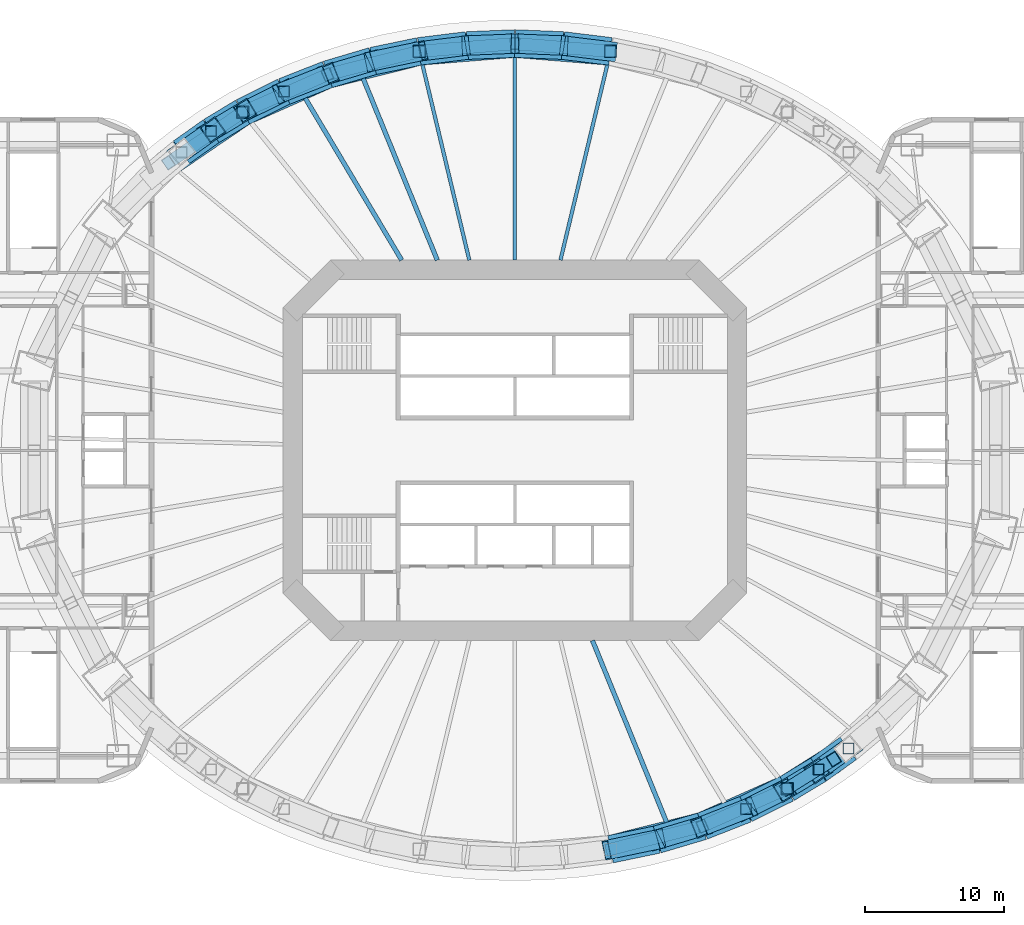
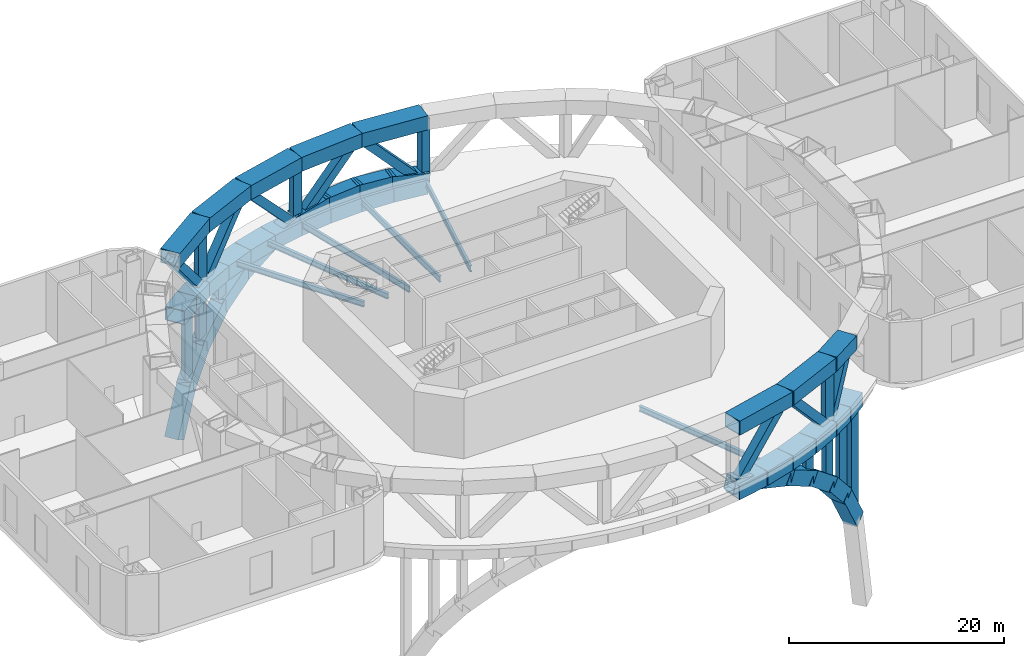
# One storey, part 3 of 13: 35 members, 30 beams.
"""IFC4 building model written with IfcOpenShell, lengths in metres."""

import ifcopenshell
import ifcopenshell.guid

model = None  # the IFC model being written
_history = None  # IfcOwnerHistory: only IFC2X3 demands one
_inside = {}  # id of a spatial element -> (the spatial element, [elements in it])
_under = {}  # id of a project, library or spatial element -> (it, [spatial elements below it])
_declared = {}  # id of a project -> (the project, [libraries it declares])
_typed = {}  # id of a type object -> (the type object, [elements of that type])
_made_of = {}  # id of a material, layer set ... -> (it, [elements and type objects made of it])


def new_model(schema):
    """Start an empty IFC model of exactly this schema.

    Asked for "IFC4X3", IfcOpenShell would pick the latest addendum, in which some entities
    have other attributes; the version numbers below select the first issue.
    IFC2X3 requires an IfcOwnerHistory on every rooted entity: one is made here for all.
    """
    global model, _history
    if schema == "IFC4X3":
        model = ifcopenshell.file(schema_version=(4, 3, 0, 0))
    else:
        model = ifcopenshell.file(schema=schema)
    _inside.clear()
    _under.clear()
    _declared.clear()
    _typed.clear()
    _made_of.clear()
    _history = None
    if model.schema == "IFC2X3":
        org = make("IfcOrganization", Name="unknown")
        user = make(
            "IfcPersonAndOrganization",
            ThePerson=make("IfcPerson", FamilyName="unknown"),
            TheOrganization=org,
        )
        app = make(
            "IfcApplication",
            ApplicationDeveloper=org,
            Version="unknown",
            ApplicationFullName="unknown",
            ApplicationIdentifier="unknown",
        )
        _history = make(
            "IfcOwnerHistory",
            OwningUser=user,
            OwningApplication=app,
            ChangeAction="ADDED",
            CreationDate=0,
        )
    return model


def make(cls, **values):
    """One entity of the class cls with the attributes given. An attribute that is None is left unset."""
    return model.create_entity(
        cls, **{name: value for name, value in values.items() if value is not None}
    )


def rooted(cls, **values):
    """An entity with a GlobalId (a new one), such as an element, a storey or a relation."""
    return make(cls, GlobalId=ifcopenshell.guid.new(), OwnerHistory=_history, **values)


def si_unit(unit_type, name, prefix=None):
    """IfcSIUnit, for example si_unit("LENGTHUNIT", "METRE", prefix="MILLI")."""
    return make("IfcSIUnit", UnitType=unit_type, Prefix=prefix, Name=name)


def assignment(units):
    """IfcUnitAssignment: the units of a project."""
    return None if units is None else make("IfcUnitAssignment", Units=units)


def point(xyz):
    """IfcCartesianPoint."""
    return None if xyz is None else make("IfcCartesianPoint", Coordinates=xyz)


def direction(xyz):
    """IfcDirection."""
    return None if xyz is None else make("IfcDirection", DirectionRatios=xyz)


def frame(location, z_axis=None, x_axis=None):
    """IfcAxis2Placement3D, a coordinate frame: its origin and axes. An axis left out is left unset."""
    return make(
        "IfcAxis2Placement3D",
        Location=point(location),
        Axis=direction(z_axis),
        RefDirection=direction(x_axis),
    )


def frame_2d(location, x_axis=None):
    """IfcAxis2Placement2D, a coordinate frame in the plane: its origin and x axis."""
    return make(
        "IfcAxis2Placement2D", Location=point(location), RefDirection=direction(x_axis)
    )


def origin():
    """The frame at (0, 0, 0) with its axes left unset."""
    return frame((0.0, 0.0, 0.0))


def origin_2d():
    """The frame at (0, 0) in the plane with its x axis left unset."""
    return frame_2d((0.0, 0.0))


def place(relative_to, where):
    """IfcLocalPlacement: puts the frame where relative to a parent placement (None: the world)."""
    return make(
        "IfcLocalPlacement", PlacementRelTo=relative_to, RelativePlacement=where
    )


def context(
    kind, dimensions, precision=None, world=None, true_north=None, identifier=None
):
    """IfcGeometricRepresentationContext, for example the 3D "Model" context."""
    return make(
        "IfcGeometricRepresentationContext",
        ContextIdentifier=identifier,
        ContextType=kind,
        CoordinateSpaceDimension=dimensions,
        Precision=precision,
        WorldCoordinateSystem=world,
        TrueNorth=true_north,
    )


def subcontext(parent, identifier, kind, view, scale=None):
    """IfcGeometricRepresentationSubContext, for example "Body" below "Model"."""
    return make(
        "IfcGeometricRepresentationSubContext",
        ContextIdentifier=identifier,
        ContextType=kind,
        ParentContext=parent,
        TargetScale=scale,
        TargetView=view,
    )


def project(units=None, contexts=None):
    """IfcProject with its units and contexts."""
    return rooted(
        "IfcProject",
        Name="project",
        RepresentationContexts=contexts,
        UnitsInContext=assignment(units),
    )


def spatial(cls, under=None, at=None, **own):
    """A site, building, storey or space (cls), placed at a placement, below another one or the project."""
    s = rooted(cls, ObjectPlacement=at, **own)
    if under is not None:
        _under.setdefault(under.id(), (under, []))[1].append(s)
    return s


def profile(cls, at=None, kind="AREA", **sizes):
    """A parametric profile (cls). Its sizes go by their IFC names, for example OverallWidth=200.0."""
    return make(cls, ProfileType=kind, Position=at, **sizes)


def hollow_rectangle(**sizes):
    """IfcRectangleHollowProfileDef."""
    return profile("IfcRectangleHollowProfileDef", **sizes)


def i_section(**sizes):
    """IfcIShapeProfileDef."""
    return profile("IfcIShapeProfileDef", **sizes)


def extrude(swept, where, along, depth):
    """IfcExtrudedAreaSolid: the profile swept, set in the frame where, extruded along a direction by depth."""
    return make(
        "IfcExtrudedAreaSolid",
        SweptArea=swept,
        Position=where,
        ExtrudedDirection=direction(along),
        Depth=depth,
    )


def shape(context_of_items, identifier, shape_type, items):
    """IfcShapeRepresentation: the items that make up one representation, for example the "Body"."""
    return make(
        "IfcShapeRepresentation",
        ContextOfItems=context_of_items,
        RepresentationIdentifier=identifier,
        RepresentationType=shape_type,
        Items=items,
    )


def material(Name=None, Category=None):
    """IfcMaterial."""
    return make("IfcMaterial", Name=Name, Category=Category)


def material_profile(
    of_material, cross_section, Name=None, Category=None, Priority=None
):
    """IfcMaterialProfile: a cross section and its material."""
    return make(
        "IfcMaterialProfile",
        Name=Name,
        Material=of_material,
        Profile=cross_section,
        Priority=Priority,
        Category=Category,
    )


def profile_set(profiles, Name=None, composite=None):
    """IfcMaterialProfileSet."""
    return make(
        "IfcMaterialProfileSet",
        Name=Name,
        MaterialProfiles=profiles,
        CompositeProfile=composite,
    )


def made_of(thing, what):
    """Note that an element or type object is made of a material, layer set ...; save() writes the relation."""
    if what is not None:
        _made_of.setdefault(what.id(), (what, []))[1].append(thing)
    return thing


def type_object(cls, material=None, **own):
    """A type object (cls), such as IfcWallType, which elements share."""
    return made_of(rooted(cls, **own), material)


def element(
    cls,
    number,
    at=None,
    inside=None,
    cuts=None,
    type_object=None,
    material=None,
    context=None,
    identifier="Body",
    shape_type=None,
    held_by="IfcProductDefinitionShape",
    body=None,
    shapes=None,
    **own,
):
    """One element of the class cls, such as IfcWall. Its Tag is "e" and its number.

    at: its placement. inside: the storey or other place that contains it. cuts: it is an
    opening in that element (IfcRelVoidsElement). A single representation is given by context,
    identifier, shape_type and body (its items); several are given by shapes. held_by: the class
    of the entity that holds the representations. save() writes the other relations.
    """
    e = rooted(cls, Tag="e%d" % number, ObjectPlacement=at, **own)
    if body is not None:
        shapes = [shape(context, identifier, shape_type, body)]
    if shapes is not None:
        e.Representation = make(held_by, Representations=shapes)
    if inside is not None:
        _inside.setdefault(inside.id(), (inside, []))[1].append(e)
    if cuts is not None:
        rooted(
            "IfcRelVoidsElement", RelatingBuildingElement=cuts, RelatedOpeningElement=e
        )
    if type_object is not None:
        _typed.setdefault(type_object.id(), (type_object, []))[1].append(e)
    return made_of(e, material)


def aggregate(whole, parts):
    """IfcRelAggregates: a whole, such as a stair, and the parts it consists of."""
    return rooted("IfcRelAggregates", RelatingObject=whole, RelatedObjects=parts)


def save(model, path):
    """Write the relations noted so far, then the file.

    IfcRelAggregates (storeys below a building ...), IfcRelContainedInSpatialStructure (elements
    in a storey), IfcRelDefinesByType, IfcRelAssociatesMaterial and IfcRelDeclares: one each for
    every whole, place, type object, material and project.
    """
    for whole, parts in _under.values():
        aggregate(whole, parts)
    for where, things in _inside.values():
        rooted(
            "IfcRelContainedInSpatialStructure",
            RelatedElements=things,
            RelatingStructure=where,
        )
    for kind, things in _typed.values():
        rooted("IfcRelDefinesByType", RelatedObjects=things, RelatingType=kind)
    for what, things in _made_of.values():
        rooted("IfcRelAssociatesMaterial", RelatedObjects=things, RelatingMaterial=what)
    for by, libraries in _declared.values():
        rooted("IfcRelDeclares", RelatingContext=by, RelatedDefinitions=libraries)
    model.write(path)


model = new_model("IFC4")

# Units and contexts
model_context = context("Model", 3, precision=1e-05, world=origin(), true_north=direction((0.0, 1.0)))
body_context = subcontext(model_context, "Body", "Model", "MODEL_VIEW")
ifc_project = project(units=[si_unit("LENGTHUNIT", "METRE"), si_unit("AREAUNIT", "SQUARE_METRE"), si_unit("VOLUMEUNIT", "CUBIC_METRE"), si_unit("PLANEANGLEUNIT", "RADIAN"), si_unit("MASSUNIT", "GRAM", prefix="KILO")], contexts=[model_context])

# Site, building, storey
site_placement = place(None, origin())
site = spatial("IfcSite", under=ifc_project, at=site_placement, CompositionType="ELEMENT")
building_placement = place(site_placement, origin())
building = spatial("IfcBuilding", under=site, at=building_placement, Name="Marenthal Gate Tower", CompositionType="ELEMENT")
storey_placement = place(building_placement, frame((0.0, 0.0, 26.0)))
storey = spatial("IfcBuildingStorey", under=building, at=storey_placement, Name="L03", CompositionType="ELEMENT", Elevation=26.0)

# Beams
ifc_material_1 = material(Name="Steel S460", Category="steel")
ifc_material_profile_1 = material_profile(ifc_material_1, hollow_rectangle(XDim=2.0, YDim=1.60009765625, WallThickness=0.080078125, at=origin_2d()), Name="BOX 1600X2000X80")
ifc_profile_set_1 = profile_set([ifc_material_profile_1], Name="Steel S460")
beam_type_1 = type_object("IfcBeamType", Name="BOX 1600X2000X80 transfer chord", PredefinedType="BEAM", material=ifc_profile_set_1)
beam_1_placement = place(storey_placement, frame((6.88671875, 28.737060546875, -1.300048828125), z_axis=(-0.992506789723, 0.122189493634, 0.0), x_axis=(-0.122189493634, -0.992506789723, 0.0)))
element("IfcBeam", 1, at=beam_1_placement, inside=storey, type_object=beam_type_1, Name="TR-L03-09", PredefinedType="BEAM", context=body_context, shape_type="SweptSolid", body=[
    extrude(hollow_rectangle(XDim=2.0, YDim=1.60009765625, WallThickness=0.080078125, at=origin_2d()), origin(), (0.0, 0.0, 1.0), 3.45263671875),
])
for number, where, z_axis, x_axis, name in (
    (2, (3.4599609375, 29.158935546875, -1.300048828125), (-0.99916934247, 0.040750767707, 0.0), (-0.040750767707, -0.99916934247, 0.0), "TR-L03-10"),
    (3, (0.0, 29.300048828125, -1.300048828125), (-0.99916934247, -0.040750767707, 0.0), (0.040750767707, -0.99916934247, 0.0), "TR-L03-11"),
):
    element("IfcBeam", number, at=place(storey_placement, frame(where, z_axis=z_axis, x_axis=x_axis)), inside=storey, type_object=beam_type_1, Name=name, PredefinedType="BEAM", context=body_context, shape_type="SweptSolid", body=[
        extrude(hollow_rectangle(XDim=2.0, YDim=1.60009765625, WallThickness=0.080078125, at=origin_2d()), origin(), (0.0, 0.0, 1.0), 3.462890625),
    ])
beam_2_placement = place(storey_placement, frame((-3.4599609375, 29.158935546875, -1.300048828125), z_axis=(-0.992506789723, -0.122189493634, 0.0), x_axis=(0.122189493634, -0.992506789723, 0.0)))
element("IfcBeam", 4, at=beam_2_placement, inside=storey, type_object=beam_type_1, Name="TR-L03-12", PredefinedType="BEAM", context=body_context, shape_type="SweptSolid", body=[
    extrude(hollow_rectangle(XDim=2.0, YDim=1.60009765625, WallThickness=0.080078125, at=origin_2d()), origin(), (0.0, 0.0, 1.0), 3.45263671875),
])
beam_3_placement = place(storey_placement, frame((-6.88671875, 28.737060546875, -1.300048828125), z_axis=(-0.979058462752, -0.203579288026, 0.0), x_axis=(0.203579288026, -0.979058462752, 0.0)))
element("IfcBeam", 5, at=beam_3_placement, inside=storey, type_object=beam_type_1, Name="TR-L03-13", PredefinedType="BEAM", context=body_context, shape_type="SweptSolid", body=[
    extrude(hollow_rectangle(XDim=2.0, YDim=1.60009765625, WallThickness=0.080078125, at=origin_2d()), origin(), (0.0, 0.0, 1.0), 3.43212890625),
])
beam_4_placement = place(storey_placement, frame((-10.2470703125, 28.038330078125, -1.300048828125), z_axis=(-0.958612601044, -0.284713682705, 0.0), x_axis=(0.284713682705, -0.958612601044, 0.0)))
element("IfcBeam", 6, at=beam_4_placement, inside=storey, type_object=beam_type_1, Name="TR-L03-14", PredefinedType="BEAM", context=body_context, shape_type="SweptSolid", body=[
    extrude(hollow_rectangle(XDim=2.0, YDim=1.60009765625, WallThickness=0.080078125, at=origin_2d()), origin(), (0.0, 0.0, 1.0), 3.402587890625),
])
beam_5_placement = place(storey_placement, frame((-13.5087890625, 27.069580078125, -1.300048828125), z_axis=(-0.930854658045, -0.365389662685, 0.0), x_axis=(0.365389662685, -0.930854658045, 0.0)))
element("IfcBeam", 7, at=beam_5_placement, inside=storey, type_object=beam_type_1, Name="TR-L03-15", PredefinedType="BEAM", context=body_context, shape_type="SweptSolid", body=[
    extrude(hollow_rectangle(XDim=2.0, YDim=1.60009765625, WallThickness=0.080078125, at=origin_2d()), origin(), (0.0, 0.0, 1.0), 3.3642578125),
])
beam_6_placement = place(storey_placement, frame((-16.640380859375, 25.84033203125, -1.300048828125), z_axis=(-0.895308250233, -0.445447120391, 0.0), x_axis=(0.445447120391, -0.895308250233, 0.0)))
element("IfcBeam", 8, at=beam_6_placement, inside=storey, type_object=beam_type_1, Name="TR-L03-16", PredefinedType="BEAM", context=body_context, shape_type="SweptSolid", body=[
    extrude(hollow_rectangle(XDim=2.0, YDim=1.60009765625, WallThickness=0.080078125, at=origin_2d()), origin(), (0.0, 0.0, 1.0), 3.318603515625),
])
beam_7_placement = place(storey_placement, frame((-19.611572265625, 24.362060546875, -1.300048828125), z_axis=(-0.856085941815, -0.516833493716, 0.0), x_axis=(0.516833493716, -0.856085941815, 0.0)))
element("IfcBeam", 9, at=beam_7_placement, inside=storey, type_object=beam_type_1, Name="TR-L03-17", PredefinedType="BEAM", context=body_context, shape_type="SweptSolid", body=[
    extrude(hollow_rectangle(XDim=2.0, YDim=1.60009765625, WallThickness=0.080078125, at=origin_2d()), origin(), (0.0, 0.0, 1.0), 2.65478515625),
])
beam_8_placement = place(storey_placement, frame((-21.88427734375, 22.989990234375, -1.300048828125), z_axis=(-0.81490346358, -0.579596708967, 0.0), x_axis=(0.579596708967, -0.81490346358, 0.0)))
element("IfcBeam", 10, at=beam_8_placement, inside=storey, type_object=beam_type_1, Name="TR-L03-18", PredefinedType="BEAM", context=body_context, shape_type="SweptSolid", body=[
    extrude(hollow_rectangle(XDim=2.0, YDim=1.60009765625, WallThickness=0.080078125, at=origin_2d()), origin(), (0.0, 0.0, 1.0), 2.61865234375),
])
for number, where, z_axis, x_axis, name in (
    (11, (6.88671875, 28.737060546875, 6.02001953125), (-0.996675136239, 0.081478051055, 0.0), (-0.081478051055, -0.996675136239, 0.0), "TR-L03-25"),
    (12, (0.0, 29.300048828125, 6.02001953125), (-0.996675136239, -0.081478051055, 0.0), (0.081478051055, -0.996675136239, 0.0), "TR-L03-26"),
):
    element("IfcBeam", number, at=place(storey_placement, frame(where, z_axis=z_axis, x_axis=x_axis)), inside=storey, type_object=beam_type_1, Name=name, PredefinedType="BEAM", context=body_context, shape_type="SweptSolid", body=[
        extrude(hollow_rectangle(XDim=2.0, YDim=1.60009765625, WallThickness=0.080078125, at=origin_2d()), origin(), (0.0, 0.0, 1.0), 6.90966796875),
    ])
beam_9_placement = place(storey_placement, frame((-6.88671875, 28.737060546875, 6.02001953125), z_axis=(-0.969728903085, -0.244184058696, 0.0), x_axis=(0.244184058696, -0.969728903085, 0.0)))
element("IfcBeam", 13, at=beam_9_placement, inside=storey, type_object=beam_type_1, Name="TR-L03-27", PredefinedType="BEAM", context=body_context, shape_type="SweptSolid", body=[
    extrude(hollow_rectangle(XDim=2.0, YDim=1.60009765625, WallThickness=0.080078125, at=origin_2d()), origin(), (0.0, 0.0, 1.0), 6.828857421875),
])
beam_10_placement = place(storey_placement, frame((-13.5087890625, 27.069580078125, 6.02001953125), z_axis=(-0.914079762621, -0.405534446832, 0.0), x_axis=(0.405534446832, -0.914079762621, 0.0)))
element("IfcBeam", 14, at=beam_10_placement, inside=storey, type_object=beam_type_1, Name="TR-L03-28", PredefinedType="BEAM", context=body_context, shape_type="SweptSolid", body=[
    extrude(hollow_rectangle(XDim=2.0, YDim=1.60009765625, WallThickness=0.080078125, at=origin_2d()), origin(), (0.0, 0.0, 1.0), 6.676513671875),
])
beam_11_placement = place(storey_placement, frame((-19.611572265625, 24.362060546875, 6.02001953125), z_axis=(-0.826478637243, -0.562968082737, 0.0), x_axis=(0.562968082737, -0.826478637243, 0.0)))
element("IfcBeam", 15, at=beam_11_placement, inside=storey, type_object=beam_type_1, Name="TR-L03-29", PredefinedType="BEAM", context=body_context, shape_type="SweptSolid", body=[
    extrude(hollow_rectangle(XDim=2.0, YDim=1.60009765625, WallThickness=0.080078125, at=origin_2d()), origin(), (0.0, 0.0, 1.0), 6.472412109375),
])
beam_12_placement = place(storey_placement, frame((24.018310546875, -21.47216796875, -1.300048828125), z_axis=(-0.81490346358, -0.579596708967, 0.0), x_axis=(0.579596708967, -0.81490346358, 0.0)))
element("IfcBeam", 16, at=beam_12_placement, inside=storey, type_object=beam_type_1, Name="TR-L03-73", PredefinedType="BEAM", context=body_context, shape_type="SweptSolid", body=[
    extrude(hollow_rectangle(XDim=2.0, YDim=1.60009765625, WallThickness=0.080078125, at=origin_2d()), origin(), (0.0, 0.0, 1.0), 2.61865234375),
])
beam_13_placement = place(storey_placement, frame((21.88427734375, -22.989990234375, -1.300048828125), z_axis=(-0.856085941815, -0.516833493716, 0.0), x_axis=(0.516833493716, -0.856085941815, 0.0)))
element("IfcBeam", 17, at=beam_13_placement, inside=storey, type_object=beam_type_1, Name="TR-L03-74", PredefinedType="BEAM", context=body_context, shape_type="SweptSolid", body=[
    extrude(hollow_rectangle(XDim=2.0, YDim=1.60009765625, WallThickness=0.080078125, at=origin_2d()), origin(), (0.0, 0.0, 1.0), 2.65478515625),
])
beam_14_placement = place(storey_placement, frame((19.611572265625, -24.362060546875, -1.300048828125), z_axis=(-0.895308250233, -0.445447120391, 0.0), x_axis=(0.445447120391, -0.895308250233, 0.0)))
element("IfcBeam", 18, at=beam_14_placement, inside=storey, type_object=beam_type_1, Name="TR-L03-75", PredefinedType="BEAM", context=body_context, shape_type="SweptSolid", body=[
    extrude(hollow_rectangle(XDim=2.0, YDim=1.60009765625, WallThickness=0.080078125, at=origin_2d()), origin(), (0.0, 0.0, 1.0), 3.318603515625),
])
beam_15_placement = place(storey_placement, frame((16.640380859375, -25.84033203125, -1.300048828125), z_axis=(-0.930854658045, -0.365389662685, 0.0), x_axis=(0.365389662685, -0.930854658045, 0.0)))
element("IfcBeam", 19, at=beam_15_placement, inside=storey, type_object=beam_type_1, Name="TR-L03-76", PredefinedType="BEAM", context=body_context, shape_type="SweptSolid", body=[
    extrude(hollow_rectangle(XDim=2.0, YDim=1.60009765625, WallThickness=0.080078125, at=origin_2d()), origin(), (0.0, 0.0, 1.0), 3.3642578125),
])
beam_16_placement = place(storey_placement, frame((13.5087890625, -27.069580078125, -1.300048828125), z_axis=(-0.958612601044, -0.284713682705, 0.0), x_axis=(0.284713682705, -0.958612601044, 0.0)))
element("IfcBeam", 20, at=beam_16_placement, inside=storey, type_object=beam_type_1, Name="TR-L03-77", PredefinedType="BEAM", context=body_context, shape_type="SweptSolid", body=[
    extrude(hollow_rectangle(XDim=2.0, YDim=1.60009765625, WallThickness=0.080078125, at=origin_2d()), origin(), (0.0, 0.0, 1.0), 3.402587890625),
])
beam_17_placement = place(storey_placement, frame((10.2470703125, -28.038330078125, -1.300048828125), z_axis=(-0.979058462752, -0.203579288026, 0.0), x_axis=(0.203579288026, -0.979058462752, 0.0)))
element("IfcBeam", 21, at=beam_17_placement, inside=storey, type_object=beam_type_1, Name="TR-L03-78", PredefinedType="BEAM", context=body_context, shape_type="SweptSolid", body=[
    extrude(hollow_rectangle(XDim=2.0, YDim=1.60009765625, WallThickness=0.080078125, at=origin_2d()), origin(), (0.0, 0.0, 1.0), 3.43212890625),
])
beam_18_placement = place(storey_placement, frame((22.969482421875, -22.248779296875, 6.02001953125), z_axis=(-0.846341746449, -0.532640261543, 0.0), x_axis=(0.532640261543, -0.846341746449, 0.0)))
element("IfcBeam", 22, at=beam_18_placement, inside=storey, type_object=beam_type_1, Name="TR-L03-92", PredefinedType="BEAM", context=body_context, shape_type="SweptSolid", body=[
    extrude(hollow_rectangle(XDim=2.0, YDim=1.60009765625, WallThickness=0.080078125, at=origin_2d()), origin(), (0.0, 0.0, 1.0), 3.967529296875),
])
beam_19_placement = place(storey_placement, frame((19.611572265625, -24.362060546875, 6.02001953125), z_axis=(-0.914079762621, -0.405534446832, 0.0), x_axis=(0.405534446832, -0.914079762621, 0.0)))
element("IfcBeam", 23, at=beam_19_placement, inside=storey, type_object=beam_type_1, Name="TR-L03-93", PredefinedType="BEAM", context=body_context, shape_type="SweptSolid", body=[
    extrude(hollow_rectangle(XDim=2.0, YDim=1.60009765625, WallThickness=0.080078125, at=origin_2d()), origin(), (0.0, 0.0, 1.0), 6.676513671875),
])
beam_20_placement = place(storey_placement, frame((13.5087890625, -27.069580078125, 6.02001953125), z_axis=(-0.969728903085, -0.244184058696, 0.0), x_axis=(0.244184058696, -0.969728903085, 0.0)))
element("IfcBeam", 24, at=beam_20_placement, inside=storey, type_object=beam_type_1, Name="TR-L03-94", PredefinedType="BEAM", context=body_context, shape_type="SweptSolid", body=[
    extrude(hollow_rectangle(XDim=2.0, YDim=1.60009765625, WallThickness=0.080078125, at=origin_2d()), origin(), (0.0, 0.0, 1.0), 6.828857421875),
])
ifc_material_2 = material(Name="Steel S355", Category="steel")
ifc_material_profile_2 = material_profile(ifc_material_2, i_section(OverallWidth=0.324951171875, OverallDepth=0.612060546875, WebThickness=0.0126953125, FlangeThickness=0.01904296875, FilletRadius=0.0126953125, at=origin_2d()), Name="W610X155")
ifc_profile_set_2 = profile_set([ifc_material_profile_2], Name="Steel S355")
beam_type_2 = type_object("IfcBeamType", Name="W610X155 beam", PredefinedType="BEAM", material=ifc_profile_set_2)
beam_21_placement = place(storey_placement, frame((-10.929931640625, 26.79248046875, -0.805908203125), z_axis=(0.377725731398, -0.925917529719, 0.0), x_axis=(0.925917529719, 0.377725731398, 0.0)))
element("IfcBeam", 25, at=beam_21_placement, inside=storey, type_object=beam_type_2, Name="BM-L03-23", PredefinedType="BEAM", context=body_context, shape_type="SweptSolid", body=[
    extrude(i_section(OverallWidth=0.324951171875, OverallDepth=0.612060546875, WebThickness=0.0126953125, FlangeThickness=0.01904296875, FilletRadius=0.0126953125, at=origin_2d()), origin(), (0.0, 0.0, 1.0), 14.14013671875),
])
beam_22_placement = place(storey_placement, frame((-15.101806640625, 25.3701171875, -0.805908203125), z_axis=(0.511497449149, -0.859284795347, 0.0), x_axis=(0.859284795347, 0.511497449149, 0.0)))
element("IfcBeam", 26, at=beam_22_placement, inside=storey, type_object=beam_type_2, Name="BM-L03-24", PredefinedType="BEAM", context=body_context, shape_type="SweptSolid", body=[
    extrude(i_section(OverallWidth=0.324951171875, OverallDepth=0.612060546875, WebThickness=0.0126953125, FlangeThickness=0.01904296875, FilletRadius=0.0126953125, at=origin_2d()), origin(), (0.0, 0.0, 1.0), 13.581298828125),
])
beam_23_placement = place(storey_placement, frame((10.929931640625, -26.79248046875, -0.805908203125), z_axis=(-0.377725731398, 0.925917529719, 0.0), x_axis=(-0.925917529719, -0.377725731398, 0.0)))
element("IfcBeam", 27, at=beam_23_placement, inside=storey, type_object=beam_type_2, Name="BM-L03-35", PredefinedType="BEAM", context=body_context, shape_type="SweptSolid", body=[
    extrude(i_section(OverallWidth=0.324951171875, OverallDepth=0.612060546875, WebThickness=0.0126953125, FlangeThickness=0.01904296875, FilletRadius=0.0126953125, at=origin_2d()), origin(), (0.0, 0.0, 1.0), 14.14013671875),
])
ifc_material_3 = material(Name="Steel S355", Category="steel")
ifc_material_profile_3 = material_profile(ifc_material_3, i_section(OverallWidth=0.257080078125, OverallDepth=0.693115234375, WebThickness=0.014404296875, FlangeThickness=0.023681640625, FilletRadius=0.015380859375, at=origin_2d()), Name="W690X170")
ifc_profile_set_3 = profile_set([ifc_material_profile_3], Name="Steel S355")
beam_type_3 = type_object("IfcBeamType", Name="W690X170 beam", PredefinedType="BEAM", material=ifc_profile_set_3)
for number, where, z_axis, x_axis, name in (
    (28, (6.652099609375, 27.75830078125, -0.846435546875), (-0.23303888137, -0.972467418359, 0.0), (0.972467418359, -0.23303888137, 0.0), "BM-L03-04"),
    (29, (-6.652099609375, 27.75830078125, -0.846435546875), (0.23303888137, -0.972467418359, 0.0), (0.972467418359, 0.23303888137, 0.0), "BM-L03-05"),
):
    element("IfcBeam", number, at=place(storey_placement, frame(where, z_axis=z_axis, x_axis=x_axis)), inside=storey, type_object=beam_type_3, Name=name, PredefinedType="BEAM", context=body_context, shape_type="SweptSolid", body=[
        extrude(i_section(OverallWidth=0.257080078125, OverallDepth=0.693115234375, WebThickness=0.014404296875, FlangeThickness=0.023681640625, FilletRadius=0.015380859375, at=origin_2d()), origin(), (0.0, 0.0, 1.0), 14.456298828125),
    ])
beam_24_placement = place(storey_placement, frame((0.0, 28.29931640625, -0.846435546875), z_axis=(0.0, -1.0, 0.0), x_axis=(1.0, 0.0, 0.0)))
element("IfcBeam", 30, at=beam_24_placement, inside=storey, type_object=beam_type_3, Name="BM-L03-22", PredefinedType="BEAM", context=body_context, shape_type="SweptSolid", body=[
    extrude(i_section(OverallWidth=0.257080078125, OverallDepth=0.693115234375, WebThickness=0.014404296875, FlangeThickness=0.023681640625, FilletRadius=0.015380859375, at=origin_2d()), origin(), (0.0, 0.0, 1.0), 14.599365234375),
])

# Members
ifc_material_4 = material(Name="Steel S355", Category="steel")
ifc_material_profile_4 = material_profile(ifc_material_4, hollow_rectangle(XDim=1.39990234375, YDim=1.60009765625, WallThickness=0.080078125, at=origin_2d()), Name="BOX 1600X1400X80")
ifc_profile_set_4 = profile_set([ifc_material_profile_4], Name="Steel S355")
member_type_1 = type_object("IfcMemberType", Name="arch rib BOX 1600X1400X80", PredefinedType="MEMBER", material=ifc_profile_set_4)
member_1_placement = place(storey_placement, frame((7.1806640625, 28.700927734375, -0.78955078125), z_axis=(-0.979784181158, 0.120596155599, 0.159623073542), x_axis=(-0.122162519043, -0.992510110246, 0.0)))
element("IfcMember", 31, at=member_1_placement, inside=storey, type_object=member_type_1, Name="AR-N-L03-38", PredefinedType="MEMBER", context=body_context, shape_type="SweptSolid", body=[
    extrude(hollow_rectangle(XDim=1.39990234375, YDim=1.60009765625, WallThickness=0.080078125, at=origin_2d()), origin(), (0.0, 0.0, 1.0), 4.097412109375),
])
for number, where, z_axis, x_axis, name in (
    (32, (3.75927734375, 29.146728515625, -0.19921875), (-0.997771516968, 0.040693520723, 0.052877568963), (-0.040750530603, -0.99916935214, 0.0), "AR-N-L03-39"),
    (33, (0.29931640625, 29.312255859375, 0.015869140625), (-0.997771516968, -0.040693520723, -0.052877568963), (0.040750530603, -0.99916935214, 0.0), "AR-N-L03-40"),
):
    element("IfcMember", number, at=place(storey_placement, frame(where, z_axis=z_axis, x_axis=x_axis)), inside=storey, type_object=member_type_1, Name=name, PredefinedType="MEMBER", context=body_context, shape_type="SweptSolid", body=[
        extrude(hollow_rectangle(XDim=1.39990234375, YDim=1.60009765625, WallThickness=0.080078125, at=origin_2d()), origin(), (0.0, 0.0, 1.0), 4.067626953125),
    ])
member_2_placement = place(storey_placement, frame((-3.166015625, 29.195068359375, -0.135498046875), z_axis=(-0.979784181158, -0.120596155599, -0.159623073542), x_axis=(0.122162519043, -0.992510110246, 0.0)))
element("IfcMember", 34, at=member_2_placement, inside=storey, type_object=member_type_1, Name="AR-N-L03-41", PredefinedType="MEMBER", context=body_context, shape_type="SweptSolid", body=[
    extrude(hollow_rectangle(XDim=1.39990234375, YDim=1.60009765625, WallThickness=0.080078125, at=origin_2d()), origin(), (0.0, 0.0, 1.0), 4.097412109375),
])
member_3_placement = place(storey_placement, frame((-6.603759765625, 28.7958984375, -0.660888671875), z_axis=(-0.942929594761, -0.196079632167, -0.269140404201), x_axis=(0.203591982603, -0.979055823036, 0.0)))
element("IfcMember", 35, at=member_3_placement, inside=storey, type_object=member_type_1, Name="AR-N-L03-42", PredefinedType="MEMBER", context=body_context, shape_type="SweptSolid", body=[
    extrude(hollow_rectangle(XDim=1.39990234375, YDim=1.60009765625, WallThickness=0.080078125, at=origin_2d()), origin(), (0.0, 0.0, 1.0), 4.16357421875),
])
member_4_placement = place(storey_placement, frame((-9.981201171875, 28.1171875, -1.5859375), z_axis=(-0.885621115862, -0.26300159803, -0.382760236404), x_axis=(0.284680682344, -0.958622401731, 0.0)))
element("IfcMember", 36, at=member_4_placement, inside=storey, type_object=member_type_1, Name="AR-N-L03-43", PredefinedType="MEMBER", context=body_context, shape_type="SweptSolid", body=[
    extrude(hollow_rectangle(XDim=1.39990234375, YDim=1.60009765625, WallThickness=0.080078125, at=origin_2d()), origin(), (0.0, 0.0, 1.0), 4.283203125),
])
member_5_placement = place(storey_placement, frame((-13.26708984375, 27.16455078125, -2.9599609375), z_axis=(-0.805122250972, -0.316099935492, -0.501855548711), x_axis=(0.365453963974, -0.930829415208, 0.0)))
element("IfcMember", 37, at=member_5_placement, inside=storey, type_object=member_type_1, Name="AR-N-L03-44", PredefinedType="MEMBER", context=body_context, shape_type="SweptSolid", body=[
    extrude(hollow_rectangle(XDim=1.39990234375, YDim=1.60009765625, WallThickness=0.080078125, at=origin_2d()), origin(), (0.0, 0.0, 1.0), 4.48974609375),
])
member_6_placement = place(storey_placement, frame((-16.430908203125, 25.944580078125, -4.87451171875), z_axis=(-0.697924026477, -0.347253139776, -0.626352384989), x_axis=(0.445459010991, -0.895302334146, 0.0)))
element("IfcMember", 38, at=member_6_placement, inside=storey, type_object=member_type_1, Name="AR-N-L03-45", PredefinedType="MEMBER", context=body_context, shape_type="SweptSolid", body=[
    extrude(hollow_rectangle(XDim=1.39990234375, YDim=1.60009765625, WallThickness=0.080078125, at=origin_2d()), origin(), (0.0, 0.0, 1.0), 4.857421875),
])
member_7_placement = place(storey_placement, frame((-19.439453125, 24.466064453125, -7.50634765625), z_axis=(-0.573779649297, -0.346441075684, -0.742129028627), x_axis=(0.516877933395, -0.856059111259, 0.0)))
element("IfcMember", 39, at=member_7_placement, inside=storey, type_object=member_type_1, Name="AR-N-L03-46", PredefinedType="MEMBER", context=body_context, shape_type="SweptSolid", body=[
    extrude(hollow_rectangle(XDim=1.39990234375, YDim=1.60009765625, WallThickness=0.080078125, at=origin_2d()), origin(), (0.0, 0.0, 1.0), 4.560791015625),
])
for number, where, z_axis, x_axis, name in (
    (40, (-21.755126953125, 23.081787109375, -10.413818359375), (-0.430712471609, -0.306364519554, -0.848897843064), (0.579624424771, -0.814883750119, 0.0), "AR-N-L03-47"),
    (41, (24.1474609375, -21.380126953125, -15.12890625), (-0.430712471609, -0.306364519554, 0.848897843064), (0.579624424771, -0.814883750119, 0.0), "AR-S-L03-102"),
):
    element("IfcMember", number, at=place(storey_placement, frame(where, z_axis=z_axis, x_axis=x_axis)), inside=storey, type_object=member_type_1, Name=name, PredefinedType="MEMBER", context=body_context, shape_type="SweptSolid", body=[
        extrude(hollow_rectangle(XDim=1.39990234375, YDim=1.60009765625, WallThickness=0.080078125, at=origin_2d()), origin(), (0.0, 0.0, 1.0), 5.554443359375),
    ])
member_8_placement = place(storey_placement, frame((22.056396484375, -22.885986328125, -10.89111328125), z_axis=(-0.573779649297, -0.346441075684, 0.742129028627), x_axis=(0.516877933395, -0.856059111259, 0.0)))
element("IfcMember", 42, at=member_8_placement, inside=storey, type_object=member_type_1, Name="AR-S-L03-103", PredefinedType="MEMBER", context=body_context, shape_type="SweptSolid", body=[
    extrude(hollow_rectangle(XDim=1.39990234375, YDim=1.60009765625, WallThickness=0.080078125, at=origin_2d()), origin(), (0.0, 0.0, 1.0), 4.560791015625),
])
member_9_placement = place(storey_placement, frame((19.821044921875, -24.2578125, -7.9169921875), z_axis=(-0.697924026477, -0.347253139776, 0.626352384989), x_axis=(0.445459010991, -0.895302334146, 0.0)))
element("IfcMember", 43, at=member_9_placement, inside=storey, type_object=member_type_1, Name="AR-S-L03-104", PredefinedType="MEMBER", context=body_context, shape_type="SweptSolid", body=[
    extrude(hollow_rectangle(XDim=1.39990234375, YDim=1.60009765625, WallThickness=0.080078125, at=origin_2d()), origin(), (0.0, 0.0, 1.0), 4.857421875),
])
member_10_placement = place(storey_placement, frame((16.8818359375, -25.745361328125, -5.213134765625), z_axis=(-0.805122250972, -0.316099935492, 0.501855548711), x_axis=(0.365453963974, -0.930829415208, 0.0)))
element("IfcMember", 44, at=member_10_placement, inside=storey, type_object=member_type_1, Name="AR-S-L03-105", PredefinedType="MEMBER", context=body_context, shape_type="SweptSolid", body=[
    extrude(hollow_rectangle(XDim=1.39990234375, YDim=1.60009765625, WallThickness=0.080078125, at=origin_2d()), origin(), (0.0, 0.0, 1.0), 4.48974609375),
])
member_11_placement = place(storey_placement, frame((13.7744140625, -26.99072265625, -3.225341796875), z_axis=(-0.885621115862, -0.26300159803, 0.382760236404), x_axis=(0.284680682344, -0.958622401731, 0.0)))
element("IfcMember", 45, at=member_11_placement, inside=storey, type_object=member_type_1, Name="AR-S-L03-106", PredefinedType="MEMBER", context=body_context, shape_type="SweptSolid", body=[
    extrude(hollow_rectangle(XDim=1.39990234375, YDim=1.60009765625, WallThickness=0.080078125, at=origin_2d()), origin(), (0.0, 0.0, 1.0), 4.283203125),
])
member_12_placement = place(storey_placement, frame((10.52978515625, -27.9794921875, -1.781494140625), z_axis=(-0.942929594761, -0.196079632167, 0.269140404201), x_axis=(0.203591982603, -0.979055823036, 0.0)))
element("IfcMember", 46, at=member_12_placement, inside=storey, type_object=member_type_1, Name="AR-S-L03-107", PredefinedType="MEMBER", context=body_context, shape_type="SweptSolid", body=[
    extrude(hollow_rectangle(XDim=1.39990234375, YDim=1.60009765625, WallThickness=0.080078125, at=origin_2d()), origin(), (0.0, 0.0, 1.0), 4.16357421875),
])
ifc_material_5 = material(Name="Steel S355", Category="steel")
ifc_material_profile_5 = material_profile(ifc_material_5, hollow_rectangle(XDim=0.800048828125, YDim=0.800048828125, WallThickness=0.044921875, at=origin_2d()), Name="BOX 800X800X45")
ifc_profile_set_5 = profile_set([ifc_material_profile_5], Name="Steel S355")
member_type_2 = type_object("IfcMemberType", Name="arch strut BOX 800X800X45", PredefinedType="POST", material=ifc_profile_set_5)
member_13_placement = place(storey_placement, frame((-16.640380859375, 25.84033203125, -5.21240234375), z_axis=(0.0, 0.0, 1.0), x_axis=(1.0, 0.0, 0.0)))
element("IfcMember", 47, at=member_13_placement, inside=storey, type_object=member_type_2, Name="AS-N-L03-56", PredefinedType="POST", context=body_context, shape_type="SweptSolid", body=[
    extrude(hollow_rectangle(XDim=0.800048828125, YDim=0.800048828125, WallThickness=0.044921875, at=origin_2d()), origin(), (0.0, 0.0, 1.0), 4.0625),
])
member_14_placement = place(storey_placement, frame((-19.611572265625, 24.362060546875, -7.87890625), z_axis=(0.0, 0.0, 1.0), x_axis=(1.0, 0.0, 0.0)))
element("IfcMember", 48, at=member_14_placement, inside=storey, type_object=member_type_2, Name="AS-N-L03-57", PredefinedType="POST", context=body_context, shape_type="SweptSolid", body=[
    extrude(hollow_rectangle(XDim=0.800048828125, YDim=0.800048828125, WallThickness=0.044921875, at=origin_2d()), origin(), (0.0, 0.0, 1.0), 6.72900390625),
])
member_15_placement = place(storey_placement, frame((-21.88427734375, 22.989990234375, -10.818359375), z_axis=(0.0, 0.0, 1.0), x_axis=(1.0, 0.0, 0.0)))
element("IfcMember", 49, at=member_15_placement, inside=storey, type_object=member_type_2, Name="AS-N-L03-59", PredefinedType="POST", context=body_context, shape_type="SweptSolid", body=[
    extrude(hollow_rectangle(XDim=0.800048828125, YDim=0.800048828125, WallThickness=0.044921875, at=origin_2d()), origin(), (0.0, 0.0, 1.0), 9.66845703125),
])
member_16_placement = place(storey_placement, frame((24.018310546875, -21.47216796875, -15.024169921875), z_axis=(0.0, 0.0, 1.0), x_axis=(1.0, 0.0, 0.0)))
element("IfcMember", 50, at=member_16_placement, inside=storey, type_object=member_type_2, Name="AS-S-L03-119", PredefinedType="POST", context=body_context, shape_type="SweptSolid", body=[
    extrude(hollow_rectangle(XDim=0.800048828125, YDim=0.800048828125, WallThickness=0.044921875, at=origin_2d()), origin(), (0.0, 0.0, 1.0), 13.874267578125),
])
member_17_placement = place(storey_placement, frame((21.88427734375, -22.989990234375, -10.818359375), z_axis=(0.0, 0.0, 1.0), x_axis=(1.0, 0.0, 0.0)))
element("IfcMember", 51, at=member_17_placement, inside=storey, type_object=member_type_2, Name="AS-S-L03-120", PredefinedType="POST", context=body_context, shape_type="SweptSolid", body=[
    extrude(hollow_rectangle(XDim=0.800048828125, YDim=0.800048828125, WallThickness=0.044921875, at=origin_2d()), origin(), (0.0, 0.0, 1.0), 9.66845703125),
])
member_18_placement = place(storey_placement, frame((19.611572265625, -24.362060546875, -7.87890625), z_axis=(0.0, 0.0, 1.0), x_axis=(1.0, 0.0, 0.0)))
element("IfcMember", 52, at=member_18_placement, inside=storey, type_object=member_type_2, Name="AS-S-L03-121", PredefinedType="POST", context=body_context, shape_type="SweptSolid", body=[
    extrude(hollow_rectangle(XDim=0.800048828125, YDim=0.800048828125, WallThickness=0.044921875, at=origin_2d()), origin(), (0.0, 0.0, 1.0), 6.72900390625),
])
member_19_placement = place(storey_placement, frame((16.640380859375, -25.84033203125, -5.21240234375), z_axis=(0.0, 0.0, 1.0), x_axis=(1.0, 0.0, 0.0)))
element("IfcMember", 53, at=member_19_placement, inside=storey, type_object=member_type_2, Name="AS-S-L03-123", PredefinedType="POST", context=body_context, shape_type="SweptSolid", body=[
    extrude(hollow_rectangle(XDim=0.800048828125, YDim=0.800048828125, WallThickness=0.044921875, at=origin_2d()), origin(), (0.0, 0.0, 1.0), 4.0625),
])
ifc_material_6 = material(Name="Steel S355", Category="steel")
ifc_material_profile_6 = material_profile(ifc_material_6, hollow_rectangle(XDim=0.89990234375, YDim=0.89990234375, WallThickness=0.050048828125, at=origin_2d()), Name="BOX 900X900X50")
ifc_profile_set_6 = profile_set([ifc_material_profile_6], Name="Steel S355")
member_type_3 = type_object("IfcMemberType", Name="transfer truss diagonal BOX 900X900X50", PredefinedType="BRACE", material=ifc_profile_set_6)
for number, where, z_axis, x_axis, name in (
    (54, (6.88671875, 28.737060546875, -1.300048828125), (-0.684146666491, 0.055928892971, 0.727196876822), (-0.081478051055, -0.996675136239, 0.0), "TR-L03-65"),
    (55, (0.0, 29.300048828125, 6.02001953125), (-0.684146666491, -0.055928892971, -0.727196876822), (0.081478051055, -0.996675136239, 0.0), "TR-L03-66"),
):
    element("IfcMember", number, at=place(storey_placement, frame(where, z_axis=z_axis, x_axis=x_axis)), inside=storey, type_object=member_type_3, Name=name, PredefinedType="BRACE", context=body_context, shape_type="SweptSolid", body=[
        extrude(hollow_rectangle(XDim=0.89990234375, YDim=0.89990234375, WallThickness=0.050048828125, at=origin_2d()), origin(), (0.0, 0.0, 1.0), 10.066162109375),
    ])
member_20_placement = place(storey_placement, frame((-6.88671875, 28.737060546875, -1.300048828125), z_axis=(-0.661493970766, -0.166568493597, 0.73121861545), x_axis=(0.244184058696, -0.969728903085, 0.0)))
element("IfcMember", 56, at=member_20_placement, inside=storey, type_object=member_type_3, Name="TR-L03-67", PredefinedType="BRACE", context=body_context, shape_type="SweptSolid", body=[
    extrude(hollow_rectangle(XDim=0.89990234375, YDim=0.89990234375, WallThickness=0.050048828125, at=origin_2d()), origin(), (0.0, 0.0, 1.0), 10.0107421875),
])
member_21_placement = place(storey_placement, frame((-13.5087890625, 27.069580078125, 6.02001953125), z_axis=(-0.615977764166, -0.273280529847, -0.738843113293), x_axis=(0.405534446832, -0.914079762621, 0.0)))
element("IfcMember", 57, at=member_21_placement, inside=storey, type_object=member_type_3, Name="TR-L03-68", PredefinedType="BRACE", context=body_context, shape_type="SweptSolid", body=[
    extrude(hollow_rectangle(XDim=0.89990234375, YDim=0.89990234375, WallThickness=0.050048828125, at=origin_2d()), origin(), (0.0, 0.0, 1.0), 9.907470703125),
])
member_22_placement = place(storey_placement, frame((-19.611572265625, 24.362060546875, -1.300048828125), z_axis=(-0.547462379603, -0.372912054017, 0.749147210425), x_axis=(0.562968082737, -0.826478637243, 0.0)))
element("IfcMember", 58, at=member_22_placement, inside=storey, type_object=member_type_3, Name="TR-L03-69", PredefinedType="BRACE", context=body_context, shape_type="SweptSolid", body=[
    extrude(hollow_rectangle(XDim=0.89990234375, YDim=0.89990234375, WallThickness=0.050048828125, at=origin_2d()), origin(), (0.0, 0.0, 1.0), 9.771240234375),
])
member_23_placement = place(storey_placement, frame((22.969482421875, -22.248779296875, 6.02001953125), z_axis=(-0.403296438229, -0.253812270562, -0.879165123412), x_axis=(0.532640261543, -0.846341746449, 0.0)))
element("IfcMember", 59, at=member_23_placement, inside=storey, type_object=member_type_3, Name="TR-L03-132", PredefinedType="BRACE", context=body_context, shape_type="SweptSolid", body=[
    extrude(hollow_rectangle(XDim=0.89990234375, YDim=0.89990234375, WallThickness=0.050048828125, at=origin_2d()), origin(), (0.0, 0.0, 1.0), 8.326171875),
])
member_24_placement = place(storey_placement, frame((19.611572265625, -24.362060546875, -1.300048828125), z_axis=(-0.615977764166, -0.273280529847, 0.738843113293), x_axis=(0.405534446832, -0.914079762621, 0.0)))
element("IfcMember", 60, at=member_24_placement, inside=storey, type_object=member_type_3, Name="TR-L03-133", PredefinedType="BRACE", context=body_context, shape_type="SweptSolid", body=[
    extrude(hollow_rectangle(XDim=0.89990234375, YDim=0.89990234375, WallThickness=0.050048828125, at=origin_2d()), origin(), (0.0, 0.0, 1.0), 9.907470703125),
])
member_25_placement = place(storey_placement, frame((13.5087890625, -27.069580078125, 6.02001953125), z_axis=(-0.661493970766, -0.166568493597, -0.73121861545), x_axis=(0.244184058696, -0.969728903085, 0.0)))
element("IfcMember", 61, at=member_25_placement, inside=storey, type_object=member_type_3, Name="TR-L03-134", PredefinedType="BRACE", context=body_context, shape_type="SweptSolid", body=[
    extrude(hollow_rectangle(XDim=0.89990234375, YDim=0.89990234375, WallThickness=0.050048828125, at=origin_2d()), origin(), (0.0, 0.0, 1.0), 10.0107421875),
])
ifc_material_7 = material(Name="Steel S355", Category="steel")
ifc_material_profile_7 = material_profile(ifc_material_7, hollow_rectangle(XDim=0.89990234375, YDim=0.89990234375, WallThickness=0.050048828125, at=origin_2d()), Name="BOX 900X900X50")
ifc_profile_set_7 = profile_set([ifc_material_profile_7], Name="Steel S355")
member_type_4 = type_object("IfcMemberType", Name="transfer truss post BOX 900X900X50", PredefinedType="POST", material=ifc_profile_set_7)
for number, where, z_axis, x_axis, name in (
    (62, (6.88671875, 28.737060546875, -1.300048828125), (0.0, 0.0, 1.0), (1.0, 0.0, 0.0), "TR-L03-54"),
    (63, (-6.88671875, 28.737060546875, -1.300048828125), (0.0, 0.0, 1.0), (1.0, 0.0, 0.0), "TR-L03-55"),
    (64, (-19.611572265625, 24.362060546875, -1.300048828125), (0.0, 0.0, 1.0), (1.0, 0.0, 0.0), "TR-L03-58"),
    (65, (19.611572265625, -24.362060546875, -1.300048828125), (0.0, 0.0, 1.0), (1.0, 0.0, 0.0), "TR-L03-122"),
):
    element("IfcMember", number, at=place(storey_placement, frame(where, z_axis=z_axis, x_axis=x_axis)), inside=storey, type_object=member_type_4, Name=name, PredefinedType="POST", context=body_context, shape_type="SweptSolid", body=[
        extrude(hollow_rectangle(XDim=0.89990234375, YDim=0.89990234375, WallThickness=0.050048828125, at=origin_2d()), origin(), (0.0, 0.0, 1.0), 7.320068359375),
    ])

save(model, "model.ifc")
